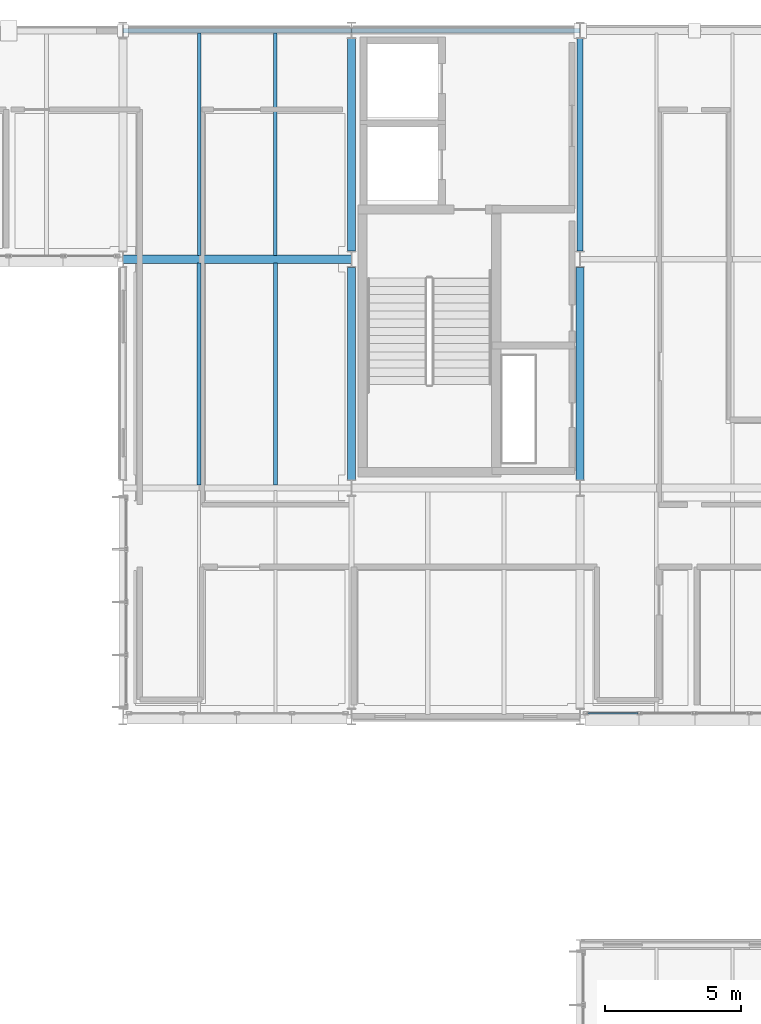
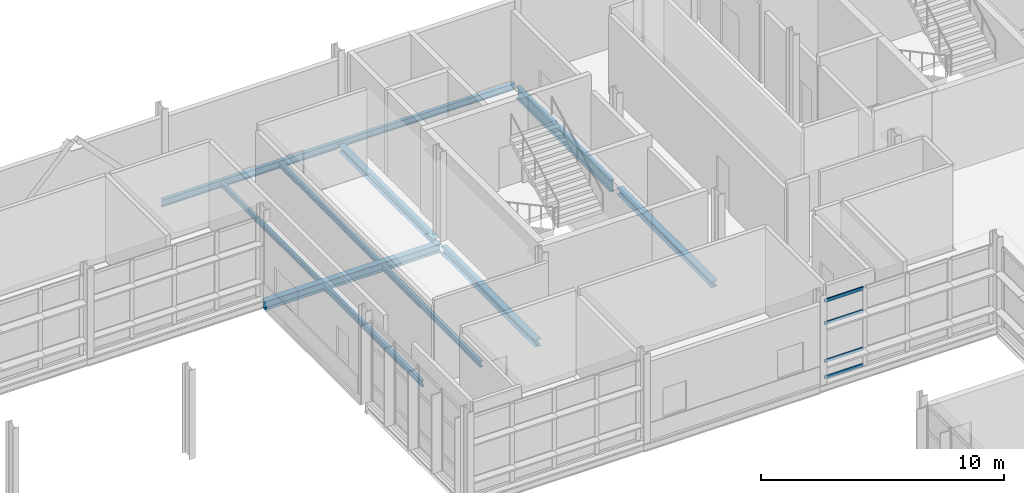
# One storey, part 78 of 129: 11 beams, 4 members, 1 element without a shape of its own.
"""IFC4 building model written with IfcOpenShell, lengths in metres."""

from ifc_helpers import new_model, si_unit, direction, frame, origin, origin_2d, place, context, subcontext, project, spatial, hollow_rectangle, i_section, extrude, material, material_profile, profile_set, type_object, element, aggregate, save


model = new_model("IFC4")

# Units and contexts
model_context = context("Model", 3, precision=1e-05, world=origin(), true_north=direction((0.0, 1.0)))
body_context = subcontext(model_context, "Body", "Model", "MODEL_VIEW")
ifc_project = project(units=[si_unit("LENGTHUNIT", "METRE"), si_unit("AREAUNIT", "SQUARE_METRE"), si_unit("VOLUMEUNIT", "CUBIC_METRE"), si_unit("PLANEANGLEUNIT", "RADIAN"), si_unit("MASSUNIT", "GRAM", prefix="KILO")], contexts=[model_context])

# Site, building, storey
site_placement = place(None, origin())
site = spatial("IfcSite", under=ifc_project, at=site_placement, CompositionType="ELEMENT")
building_placement = place(site_placement, origin())
building = spatial("IfcBuilding", under=site, at=building_placement, Name="Mersafa Astral City Hall", CompositionType="ELEMENT")
storey_placement = place(building_placement, frame((0.0, 0.0, 5.39990234375)))
storey = spatial("IfcBuildingStorey", under=building, at=storey_placement, Name="L01", CompositionType="ELEMENT", Elevation=5.39990234375)

# Curtain wall, members
ifc_material_1 = material(Name="Anodised bronze aluminium framing", Category="aluminium")
curtain_wall_type = type_object("IfcCurtainWallType", Name="ENV-CW-5", PredefinedType="USERDEFINED", material=ifc_material_1)
curtain_wall_placement = place(storey_placement, origin())
curtain_wall = element("IfcCurtainWall", 1, at=curtain_wall_placement, inside=storey, type_object=curtain_wall_type, Name="L01 Unitised solar curtain wall 64", ObjectType="UNITISED CURTAIN WALL", PredefinedType="USERDEFINED")
ifc_material_profile_1 = material_profile(ifc_material_1, hollow_rectangle(XDim=0.06005859375, YDim=0.159912109375, WallThickness=0.00390625, at=origin_2d()), Name="RHS 60x160x4")
ifc_profile_set_1 = profile_set([ifc_material_profile_1], Name="Anodised bronze aluminium framing")
member_type = type_object("IfcMemberType", Name="ENV-CW-TRN-2", PredefinedType="USERDEFINED", material=ifc_profile_set_1)
member_1_placement = place(storey_placement, frame((159.882080078125, 100.919921875, 0.028076171875), z_axis=(1.0, 0.0, 0.0), x_axis=(0.0, 1.0, 0.0)))
member_1 = element("IfcMember", 2, at=member_1_placement, type_object=member_type, Name="CW-5 transom 1.1", ObjectType="TRANSOM", PredefinedType="USERDEFINED", context=body_context, shape_type="SweptSolid", body=[
    extrude(hollow_rectangle(XDim=0.06005859375, YDim=0.159912109375, WallThickness=0.00390625, at=origin_2d()), origin(), (0.0, 0.0, 1.0), 1.8388671875),
])
member_2_placement = place(storey_placement, frame((159.882080078125, 100.919921875, 0.85009765625), z_axis=(1.0, 0.0, 0.0), x_axis=(0.0, 1.0, 0.0)))
member_2 = element("IfcMember", 3, at=member_2_placement, type_object=member_type, Name="CW-5 transom 1.2", ObjectType="TRANSOM", PredefinedType="USERDEFINED", context=body_context, shape_type="SweptSolid", body=[
    extrude(hollow_rectangle(XDim=0.06005859375, YDim=0.159912109375, WallThickness=0.00390625, at=origin_2d()), origin(), (0.0, 0.0, 1.0), 1.8388671875),
])
member_3_placement = place(storey_placement, frame((159.882080078125, 100.919921875, 2.75), z_axis=(1.0, 0.0, 0.0), x_axis=(0.0, 1.0, 0.0)))
member_3 = element("IfcMember", 4, at=member_3_placement, type_object=member_type, Name="CW-5 transom 1.3", ObjectType="TRANSOM", PredefinedType="USERDEFINED", context=body_context, shape_type="SweptSolid", body=[
    extrude(hollow_rectangle(XDim=0.06005859375, YDim=0.159912109375, WallThickness=0.00390625, at=origin_2d()), origin(), (0.0, 0.0, 1.0), 1.8388671875),
])
member_4_placement = place(storey_placement, frame((159.882080078125, 100.919921875, 3.877197265625), z_axis=(1.0, 0.0, 0.0), x_axis=(0.0, 1.0, 0.0)))
member_4 = element("IfcMember", 5, at=member_4_placement, type_object=member_type, Name="CW-5 transom 1.4", ObjectType="TRANSOM", PredefinedType="USERDEFINED", context=body_context, shape_type="SweptSolid", body=[
    extrude(hollow_rectangle(XDim=0.06005859375, YDim=0.159912109375, WallThickness=0.00390625, at=origin_2d()), origin(), (0.0, 0.0, 1.0), 1.8388671875),
])
aggregate(curtain_wall, [member_1, member_2, member_3, member_4])

# Beams
ifc_material_2 = material(Name="Steel S355", Category="steel")
ifc_material_profile_2 = material_profile(ifc_material_2, i_section(OverallWidth=0.300048828125, OverallDepth=0.31005859375, WebThickness=0.009033203125, FlangeThickness=0.015380859375, FilletRadius=0.027099609375, at=origin_2d()), Name="HEA 320")
ifc_profile_set_2 = profile_set([ifc_material_profile_2], Name="Steel S355")
beam_type_1 = type_object("IfcBeamType", Name="STR-BM-HEA320", PredefinedType="BEAM", material=ifc_profile_set_2)
beam_1_placement = place(storey_placement, frame((151.199951171875, 117.89501953125, -0.3798828125), z_axis=(0.0, 1.0, 0.0), x_axis=(-1.0, 0.0, 0.0)))
element("IfcBeam", 6, at=beam_1_placement, inside=storey, type_object=beam_type_1, Name="L01 Primary girder Y 18-14", PredefinedType="BEAM", context=body_context, shape_type="SweptSolid", body=[
    extrude(i_section(OverallWidth=0.300048828125, OverallDepth=0.31005859375, WebThickness=0.009033203125, FlangeThickness=0.015380859375, FilletRadius=0.027099609375, at=origin_2d()), origin(), (0.0, 0.0, 1.0), 7.81005859375),
])
beam_2_placement = place(storey_placement, frame((159.60009765625, 109.4951171875, -0.3798828125), z_axis=(0.0, 1.0, 0.0), x_axis=(-1.0, 0.0, 0.0)))
element("IfcBeam", 7, at=beam_2_placement, inside=storey, type_object=beam_type_1, Name="L01 Primary girder Y 19-13", PredefinedType="BEAM", context=body_context, shape_type="SweptSolid", body=[
    extrude(i_section(OverallWidth=0.300048828125, OverallDepth=0.31005859375, WebThickness=0.009033203125, FlangeThickness=0.015380859375, FilletRadius=0.027099609375, at=origin_2d()), origin(), (0.0, 0.0, 1.0), 7.809814453125),
])
ifc_material_profile_3 = material_profile(ifc_material_2, i_section(OverallWidth=0.300048828125, OverallDepth=0.35009765625, WebThickness=0.010009765625, FlangeThickness=0.017578125, FilletRadius=0.027099609375, at=origin_2d()), Name="HEA 360")
ifc_profile_set_3 = profile_set([ifc_material_profile_3], Name="Steel S355")
beam_type_2 = type_object("IfcBeamType", Name="STR-BM-HEA360", PredefinedType="BEAM", material=ifc_profile_set_3)
beam_3_placement = place(storey_placement, frame((151.199951171875, 109.4951171875, -0.39990234375), z_axis=(0.0, 1.0, 0.0), x_axis=(-1.0, 0.0, 0.0)))
element("IfcBeam", 8, at=beam_3_placement, inside=storey, type_object=beam_type_2, Name="L01 Primary girder Y 18-13", PredefinedType="BEAM", context=body_context, shape_type="SweptSolid", body=[
    extrude(i_section(OverallWidth=0.300048828125, OverallDepth=0.35009765625, WebThickness=0.010009765625, FlangeThickness=0.017578125, FilletRadius=0.027099609375, at=origin_2d()), origin(), (0.0, 0.0, 1.0), 7.809814453125),
])
ifc_material_profile_4 = material_profile(ifc_material_2, i_section(OverallWidth=0.300048828125, OverallDepth=0.43994140625, WebThickness=0.011474609375, FlangeThickness=0.02099609375, FilletRadius=0.027099609375, at=origin_2d()), Name="HEA 450")
ifc_profile_set_4 = profile_set([ifc_material_profile_4], Name="Steel S355")
beam_type_3 = type_object("IfcBeamType", Name="STR-BM-HEA450", PredefinedType="BEAM", material=ifc_profile_set_4)
beam_4_placement = place(storey_placement, frame((142.802978515625, 117.60009765625, -0.44482421875), z_axis=(1.0, 0.0, 0.0), x_axis=(0.0, 1.0, 0.0)))
element("IfcBeam", 9, at=beam_4_placement, inside=storey, type_object=beam_type_3, Name="L01 Primary girder X 17-14", PredefinedType="BEAM", context=body_context, shape_type="SweptSolid", body=[
    extrude(i_section(OverallWidth=0.300048828125, OverallDepth=0.43994140625, WebThickness=0.011474609375, FlangeThickness=0.02099609375, FilletRadius=0.027099609375, at=origin_2d()), origin(), (0.0, 0.0, 1.0), 8.39404296875),
])
ifc_material_profile_5 = material_profile(ifc_material_2, i_section(OverallWidth=0.219970703125, OverallDepth=0.60009765625, WebThickness=0.011962890625, FlangeThickness=0.01904296875, FilletRadius=0.02392578125, at=origin_2d()), Name="IPE 600")
ifc_profile_set_5 = profile_set([ifc_material_profile_5], Name="Steel S355")
beam_type_4 = type_object("IfcBeamType", Name="STR-BM-IPE600", PredefinedType="BEAM", material=ifc_profile_set_5)
beam_5_placement = place(storey_placement, frame((159.60009765625, 117.89501953125, -0.52490234375), z_axis=(0.0, 1.0, 0.0), x_axis=(-1.0, 0.0, 0.0)))
element("IfcBeam", 10, at=beam_5_placement, inside=storey, type_object=beam_type_4, Name="L01 Primary girder Y 19-14", PredefinedType="BEAM", context=body_context, shape_type="SweptSolid", body=[
    extrude(i_section(OverallWidth=0.219970703125, OverallDepth=0.60009765625, WebThickness=0.011962890625, FlangeThickness=0.01904296875, FilletRadius=0.02392578125, at=origin_2d()), origin(), (0.0, 0.0, 1.0), 7.81005859375),
])
ifc_material_profile_6 = material_profile(ifc_material_2, i_section(OverallWidth=0.135009765625, OverallDepth=0.27001953125, WebThickness=0.006591796875, FlangeThickness=0.01025390625, FilletRadius=0.014892578125, at=origin_2d()), Name="IPE 270")
ifc_profile_set_6 = profile_set([ifc_material_profile_6], Name="Steel S355")
beam_type_5 = type_object("IfcBeamType", Name="STR-BM-JOIST-IPE270", PredefinedType="JOIST", material=ifc_profile_set_6)
for number, where, z_axis, x_axis, name in (
    (11, (145.60009765625, 117.7451171875, -0.35986328125), (0.0, 1.0, 0.0), (-1.0, 0.0, 0.0), "L01 Composite secondary floor joist 354"),
    (12, (148.39990234375, 117.7451171875, -0.35986328125), (0.0, 1.0, 0.0), (-1.0, 0.0, 0.0), "L01 Composite secondary floor joist 355"),
):
    element("IfcBeam", number, at=place(storey_placement, frame(where, z_axis=z_axis, x_axis=x_axis)), inside=storey, type_object=beam_type_5, Name=name, PredefinedType="JOIST", context=body_context, shape_type="SweptSolid", body=[
        extrude(i_section(OverallWidth=0.135009765625, OverallDepth=0.27001953125, WebThickness=0.006591796875, FlangeThickness=0.01025390625, FilletRadius=0.014892578125, at=origin_2d()), origin(), (0.0, 0.0, 1.0), 8.1748046875),
    ])
ifc_material_profile_7 = material_profile(ifc_material_2, i_section(OverallWidth=0.14990234375, OverallDepth=0.300048828125, WebThickness=0.007080078125, FlangeThickness=0.0107421875, FilletRadius=0.014892578125, at=origin_2d()), Name="IPE 300")
ifc_profile_set_7 = profile_set([ifc_material_profile_7], Name="Steel S355")
beam_type_6 = type_object("IfcBeamType", Name="STR-BM-JOIST-IPE300", PredefinedType="JOIST", material=ifc_profile_set_7)
for number, where, z_axis, x_axis, name in (
    (13, (145.60009765625, 109.304931640625, -0.375), (0.0, 1.0, 0.0), (-1.0, 0.0, 0.0), "L01 Composite secondary floor joist 352"),
    (14, (148.39990234375, 109.304931640625, -0.375), (0.0, 1.0, 0.0), (-1.0, 0.0, 0.0), "L01 Composite secondary floor joist 353"),
):
    element("IfcBeam", number, at=place(storey_placement, frame(where, z_axis=z_axis, x_axis=x_axis)), inside=storey, type_object=beam_type_6, Name=name, PredefinedType="JOIST", context=body_context, shape_type="SweptSolid", body=[
        extrude(i_section(OverallWidth=0.14990234375, OverallDepth=0.300048828125, WebThickness=0.007080078125, FlangeThickness=0.0107421875, FilletRadius=0.014892578125, at=origin_2d()), origin(), (0.0, 0.0, 1.0), 8.150146484375),
    ])
ifc_material_profile_8 = material_profile(ifc_material_2, i_section(OverallWidth=0.159912109375, OverallDepth=0.330078125, WebThickness=0.007568359375, FlangeThickness=0.011474609375, FilletRadius=0.01806640625, at=origin_2d()), Name="IPE 330")
ifc_profile_set_8 = profile_set([ifc_material_profile_8], Name="Steel S355")
beam_type_7 = type_object("IfcBeamType", Name="STR-BM-SPANDREL-IPE330", PredefinedType="SPANDREL", material=ifc_profile_set_8)
beam_6_placement = place(storey_placement, frame((151.202880859375, 126.0, -0.389892578125), z_axis=(1.0, 0.0, 0.0), x_axis=(0.0, 1.0, 0.0)))
element("IfcBeam", 15, at=beam_6_placement, inside=storey, type_object=beam_type_7, Name="L01 Primary girder X 18-15", PredefinedType="SPANDREL", context=body_context, shape_type="SweptSolid", body=[
    extrude(i_section(OverallWidth=0.159912109375, OverallDepth=0.330078125, WebThickness=0.007568359375, FlangeThickness=0.011474609375, FilletRadius=0.01806640625, at=origin_2d()), origin(), (0.0, 0.0, 1.0), 8.39404296875),
])
ifc_material_profile_9 = material_profile(ifc_material_2, i_section(OverallWidth=0.169921875, OverallDepth=0.360107421875, WebThickness=0.008056640625, FlangeThickness=0.0126953125, FilletRadius=0.01806640625, at=origin_2d()), Name="IPE 360")
ifc_profile_set_9 = profile_set([ifc_material_profile_9], Name="Steel S355")
beam_type_8 = type_object("IfcBeamType", Name="STR-BM-SPANDREL-IPE360", PredefinedType="SPANDREL", material=ifc_profile_set_9)
beam_7_placement = place(storey_placement, frame((142.802978515625, 126.0, -0.40478515625), z_axis=(1.0, 0.0, 0.0), x_axis=(0.0, 1.0, 0.0)))
element("IfcBeam", 16, at=beam_7_placement, inside=storey, type_object=beam_type_8, Name="L01 Primary girder X 17-15", PredefinedType="SPANDREL", context=body_context, shape_type="SweptSolid", body=[
    extrude(i_section(OverallWidth=0.169921875, OverallDepth=0.360107421875, WebThickness=0.008056640625, FlangeThickness=0.0126953125, FilletRadius=0.01806640625, at=origin_2d()), origin(), (0.0, 0.0, 1.0), 8.39404296875),
])

save(model, "model.ifc")
